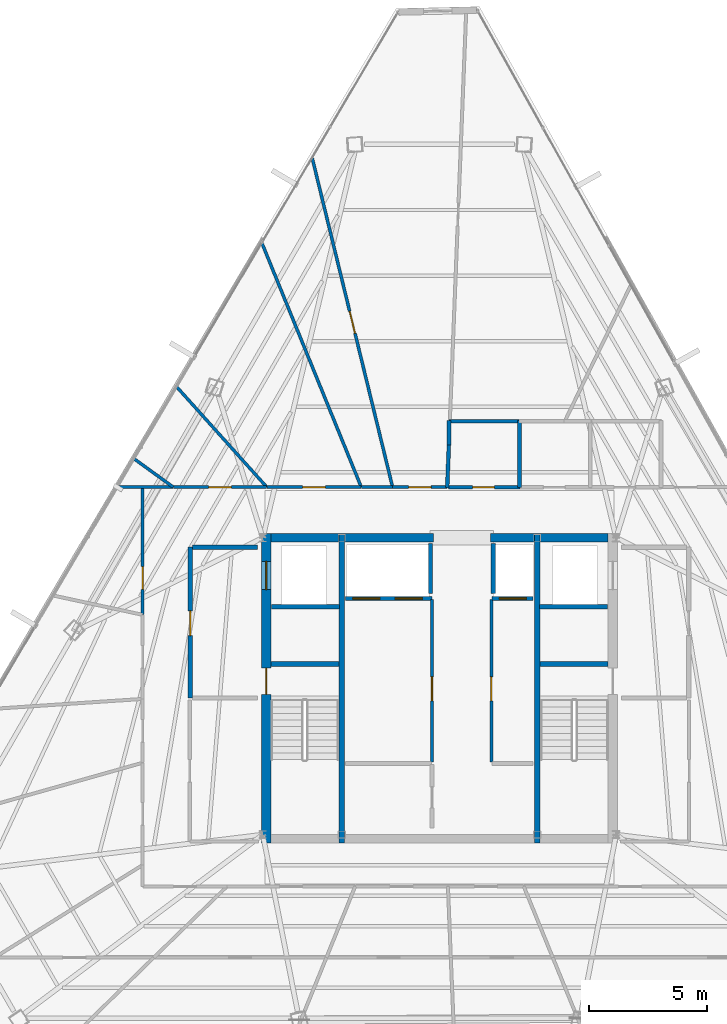
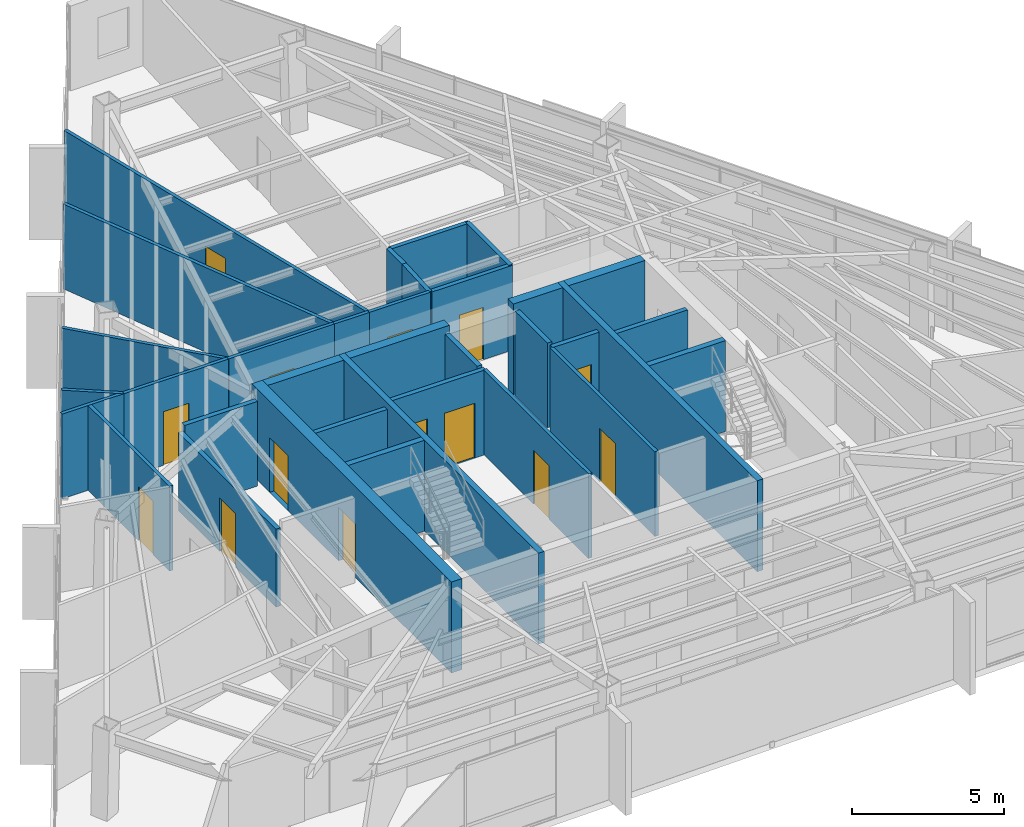
# One storey, part 41 of 45: 34 walls, 14 doors, 14 openings.
"""IFC4 building model written with IfcOpenShell, lengths in metres."""

from ifc_helpers import new_model, si_unit, direction, frame, frame_2d, origin, place, context, subcontext, project, spatial, rectangle, extrude, material, layer, layer_set, type_object, element, fill, save


model = new_model("IFC4")

# Units and contexts
model_context = context("Model", 3, precision=1e-05, world=origin(), true_north=direction((0.0, 1.0)))
body_context = subcontext(model_context, "Body", "Model", "MODEL_VIEW")
ifc_project = project(units=[si_unit("LENGTHUNIT", "METRE"), si_unit("AREAUNIT", "SQUARE_METRE"), si_unit("VOLUMEUNIT", "CUBIC_METRE"), si_unit("PLANEANGLEUNIT", "RADIAN"), si_unit("MASSUNIT", "GRAM", prefix="KILO")], contexts=[model_context])

# Site, building, storey
site_placement = place(None, origin())
site = spatial("IfcSite", under=ifc_project, at=site_placement, CompositionType="ELEMENT")
building_placement = place(site_placement, origin())
building = spatial("IfcBuilding", under=site, at=building_placement, Name="Caelisora Broadcast Tower", CompositionType="ELEMENT")
storey_placement = place(building_placement, frame((0.0, 0.0, 266.35009765625)))
storey = spatial("IfcBuildingStorey", under=building, at=storey_placement, Name="L70", CompositionType="ELEMENT", Elevation=266.35009765625)

# Wall, openings, doors
ifc_material_1 = material(Name="Concrete 40 MPa (AS 3600 N40)", Category="concrete")
ifc_layer_1 = layer(ifc_material_1, 0.39990234375, Name="Concrete 40 MPa (AS 3600 N40)")
ifc_layer_set_1 = layer_set([ifc_layer_1], Name="Concrete 40 MPa (AS 3600 N40)")
wall_type_1 = type_object("IfcWallType", Name="CW3", PredefinedType="SHEAR", material=ifc_layer_set_1)
wall_1_placement = place(storey_placement, frame((30.639892578125, 17.050048828125, 0.0), z_axis=(0.0, 0.0, 1.0), x_axis=(0.0, 1.0, 0.0)))
wall_1 = element("IfcWall", 1, at=wall_1_placement, inside=storey, type_object=wall_type_1, Name="L70 core shear wall CW3", PredefinedType="SHEAR", context=body_context, shape_type="SweptSolid", body=[
    extrude(rectangle(XDim=13.125, YDim=0.39990234375, at=frame_2d((6.5625, 0.0))), origin(), (0.0, 0.0, 1.0), 3.64990234375),
])
opening_1_placement = place(wall_1_placement, frame((6.300048828125, 0.0, 0.0)))
opening_1 = element("IfcOpeningElement", 2, at=opening_1_placement, cuts=wall_1, Name="Opening FD04", PredefinedType="OPENING", context=body_context, shape_type="SweptSolid", body=[
    extrude(rectangle(XDim=1.1201171875, YDim=2.14990234375, at=frame_2d((0.56005859375, 1.074951171875))), frame((0.0, 0.2119140625, 0.0), z_axis=(0.0, -1.0, 0.0), x_axis=(1.0, 0.0, 0.0)), (0.0, 0.0, 1.0), 0.423828125),
])
opening_2_placement = place(wall_1_placement, frame((10.75, 0.0, 0.0)))
opening_2 = element("IfcOpeningElement", 3, at=opening_2_placement, cuts=wall_1, Name="Opening LD04", PredefinedType="OPENING", context=body_context, shape_type="SweptSolid", body=[
    extrude(rectangle(XDim=1.199951171875, YDim=2.199951171875, at=frame_2d((0.60009765625, 1.10009765625))), frame((0.0, 0.2119140625, 0.0), z_axis=(0.0, -1.0, 0.0), x_axis=(1.0, 0.0, 0.0)), (0.0, 0.0, 1.0), 0.423828125),
])
ifc_material_2 = material(Name="Pressurised Fire-Isolated Stair Door", Category="steel")
door_type_1 = type_object("IfcDoorType", Name="FD04", OperationType="NOTDEFINED", PredefinedType="DOOR", material=ifc_material_2)
door_1_placement = place(opening_1_placement, origin())
door_1 = element("IfcDoor", 4, at=door_1_placement, inside=storey, type_object=door_type_1, Name="L70 door FD04 (L70-DR-ST1)", OperationType="SINGLE_SWING_LEFT", OverallHeight=2.14990234375, OverallWidth=1.1201171875, PredefinedType="DOOR", context=body_context, shape_type="SweptSolid", body=[
    extrude(rectangle(XDim=1.1201171875, YDim=2.14990234375, at=frame_2d((0.56005859375, 1.074951171875))), frame((0.0, 0.02490234375, 0.0), z_axis=(0.0, -1.0, 0.0), x_axis=(1.0, 0.0, 0.0)), (0.0, 0.0, 1.0), 0.050048828125),
])
fill(opening_1, door_1)
ifc_material_3 = material(Name="Emergency Firefighting Lift Sliding Landing Door", Category="steel")
door_type_2 = type_object("IfcDoorType", Name="LD04", OperationType="NOTDEFINED", PredefinedType="DOOR", material=ifc_material_3)
door_2_placement = place(opening_2_placement, origin())
door_2 = element("IfcDoor", 5, at=door_2_placement, inside=storey, type_object=door_type_2, Name="L70 door LD04 (L70-LD-FFL1)", OperationType="SLIDING_TO_LEFT", OverallHeight=2.199951171875, OverallWidth=1.199951171875, PredefinedType="DOOR", context=body_context, shape_type="SweptSolid", body=[
    extrude(rectangle(XDim=1.199951171875, YDim=2.199951171875, at=frame_2d((0.60009765625, 1.10009765625))), frame((0.0, 0.02490234375, 0.0), z_axis=(0.0, -1.0, 0.0), x_axis=(1.0, 0.0, 0.0)), (0.0, 0.0, 1.0), 0.050048828125),
])
fill(opening_2, door_2)

# Walls
ifc_layer_2 = layer(ifc_material_1, 0.35009765625, Name="Concrete 40 MPa (AS 3600 N40)")
ifc_layer_set_2 = layer_set([ifc_layer_2], Name="Concrete 40 MPa (AS 3600 N40)")
wall_type_2 = type_object("IfcWallType", Name="CW6", PredefinedType="SHEAR", material=ifc_layer_set_2)
wall_2_placement = place(storey_placement, frame((30.840087890625, 30.0, 0.0), z_axis=(0.0, 0.0, 1.0), x_axis=(1.0, 0.0, 0.0)))
element("IfcWall", 6, at=wall_2_placement, inside=storey, type_object=wall_type_2, Name="L70 core shear wall CW6", PredefinedType="SHEAR", context=body_context, shape_type="SweptSolid", body=[
    extrude(rectangle(XDim=2.89990234375, YDim=0.35009765625, at=frame_2d((1.449951171875, 0.0))), origin(), (0.0, 0.0, 1.0), 3.64990234375),
])
wall_3_placement = place(storey_placement, frame((33.9599609375, 30.0, 0.0), z_axis=(0.0, 0.0, 1.0), x_axis=(1.0, 0.0, 0.0)))
element("IfcWall", 7, at=wall_3_placement, inside=storey, type_object=wall_type_2, Name="L70 core shear wall CW6", PredefinedType="SHEAR", context=body_context, shape_type="SweptSolid", body=[
    extrude(rectangle(XDim=3.780029296875, YDim=0.35009765625, at=frame_2d((1.89013671875, 0.0))), origin(), (0.0, 0.0, 1.0), 3.64990234375),
])
wall_4_placement = place(storey_placement, frame((40.159912109375, 30.0, 0.0), z_axis=(0.0, 0.0, 1.0), x_axis=(1.0, 0.0, 0.0)))
element("IfcWall", 8, at=wall_4_placement, inside=storey, type_object=wall_type_2, Name="L70 core shear wall CW6", PredefinedType="SHEAR", context=body_context, shape_type="SweptSolid", body=[
    extrude(rectangle(XDim=1.880126953125, YDim=0.35009765625, at=frame_2d((0.93994140625, 0.0))), origin(), (0.0, 0.0, 1.0), 3.64990234375),
])
wall_5_placement = place(storey_placement, frame((42.260009765625, 30.0, 0.0), z_axis=(0.0, 0.0, 1.0), x_axis=(1.0, 0.0, 0.0)))
element("IfcWall", 9, at=wall_5_placement, inside=storey, type_object=wall_type_2, Name="L70 core shear wall CW6", PredefinedType="SHEAR", context=body_context, shape_type="SweptSolid", body=[
    extrude(rectangle(XDim=2.89990234375, YDim=0.35009765625, at=frame_2d((1.449951171875, 0.0))), origin(), (0.0, 0.0, 1.0), 3.64990234375),
])
ifc_material_4 = material(Name="Concrete 50 MPa (AS 3600 S50)", Category="concrete")
ifc_layer_3 = layer(ifc_material_4, 0.219970703125, Name="Concrete 50 MPa (AS 3600 S50)")
ifc_layer_set_3 = layer_set([ifc_layer_3], Name="Concrete 50 MPa (AS 3600 S50)")
wall_type_3 = type_object("IfcWallType", Name="CW7", PredefinedType="SHEAR", material=ifc_layer_set_3)
for number, where, z_axis, x_axis, name in (
    (10, (33.85009765625, 17.050048828125, 0.0), (0.0, 0.0, 1.0), (0.0, 1.0, 0.0), "L70 core shear wall CW7"),
    (11, (42.14990234375, 17.050048828125, 0.0), (0.0, 0.0, 1.0), (0.0, 1.0, 0.0), "L70 core shear wall CW7"),
):
    element("IfcWall", number, at=place(storey_placement, frame(where, z_axis=z_axis, x_axis=x_axis)), inside=storey, type_object=wall_type_3, Name=name, PredefinedType="SHEAR", context=body_context, shape_type="SweptSolid", body=[
        extrude(rectangle(XDim=13.125, YDim=0.219970703125, at=frame_2d((6.5625, 0.0))), origin(), (0.0, 0.0, 1.0), 3.64990234375),
    ])
for number, where, z_axis, x_axis, name in (
    (12, (30.840087890625, 24.639892578125, 0.0), (0.0, 0.0, 1.0), (1.0, 0.0, 0.0), "L70 core shear wall CW7"),
    (13, (42.260009765625, 24.639892578125, 0.0), (0.0, 0.0, 1.0), (1.0, 0.0, 0.0), "L70 core shear wall CW7"),
):
    element("IfcWall", number, at=place(storey_placement, frame(where, z_axis=z_axis, x_axis=x_axis)), inside=storey, type_object=wall_type_3, Name=name, PredefinedType="SHEAR", context=body_context, shape_type="SweptSolid", body=[
        extrude(rectangle(XDim=2.89990234375, YDim=0.219970703125, at=frame_2d((1.449951171875, 0.0))), origin(), (0.0, 0.0, 1.0), 3.64990234375),
    ])

# Wall, openings, doors
ifc_material_5 = material(Name="Fire-Rated Gypsum Shaft and Compartment Wall", Category="gypsum")
ifc_layer_4 = layer(ifc_material_5, 0.179931640625, Name="Fire-Rated Gypsum Shaft and Compartment Wall")
ifc_layer_set_4 = layer_set([ifc_layer_4], Name="Fire-Rated Gypsum Shaft and Compartment Wall")
wall_type_4 = type_object("IfcWallType", Name="PW2", PredefinedType="PARTITIONING", material=ifc_layer_set_4)
wall_6_placement = place(storey_placement, frame((34.02001953125, 27.419921875, 0.0), z_axis=(0.0, 0.0, 1.0), x_axis=(1.0, 0.0, 0.0)))
wall_6 = element("IfcWall", 14, at=wall_6_placement, inside=storey, type_object=wall_type_4, Name="L70 fire compartment wall PW2", PredefinedType="PARTITIONING", context=body_context, shape_type="SweptSolid", body=[
    extrude(rectangle(XDim=3.659912109375, YDim=0.179931640625, at=frame_2d((1.830078125, 0.0))), origin(), (0.0, 0.0, 1.0), 3.39990234375),
])
opening_3_placement = place(wall_6_placement, frame((0.300048828125, 0.0, 0.0)))
opening_3 = element("IfcOpeningElement", 15, at=opening_3_placement, cuts=wall_6, Name="Opening LD02", PredefinedType="OPENING", context=body_context, shape_type="SweptSolid", body=[
    extrude(rectangle(XDim=1.14990234375, YDim=2.199951171875, at=frame_2d((0.574951171875, 1.10009765625))), frame((0.0, 0.10205078125, 0.0), z_axis=(0.0, -1.0, 0.0), x_axis=(1.0, 0.0, 0.0)), (0.0, 0.0, 1.0), 0.203857421875),
])
opening_4_placement = place(wall_6_placement, frame((2.10009765625, 0.0, 0.0)))
opening_4 = element("IfcOpeningElement", 16, at=opening_4_placement, cuts=wall_6, Name="Opening LD02", PredefinedType="OPENING", context=body_context, shape_type="SweptSolid", body=[
    extrude(rectangle(XDim=1.14990234375, YDim=2.199951171875, at=frame_2d((0.574951171875, 1.10009765625))), frame((0.0, 0.10205078125, 0.0), z_axis=(0.0, -1.0, 0.0), x_axis=(1.0, 0.0, 0.0)), (0.0, 0.0, 1.0), 0.203857421875),
])
ifc_material_6 = material(Name="High-Speed Express Lift Sliding Landing Door", Category="steel")
door_type_3 = type_object("IfcDoorType", Name="LD02", OperationType="NOTDEFINED", PredefinedType="DOOR", material=ifc_material_6)
door_3_placement = place(opening_3_placement, origin())
door_3 = element("IfcDoor", 17, at=door_3_placement, inside=storey, type_object=door_type_3, Name="L70 door LD02 (L70-LD-PLH1)", OperationType="SLIDING_TO_RIGHT", OverallHeight=2.199951171875, OverallWidth=1.14990234375, PredefinedType="DOOR", context=body_context, shape_type="SweptSolid", body=[
    extrude(rectangle(XDim=1.14990234375, YDim=2.199951171875, at=frame_2d((0.574951171875, 1.10009765625))), frame((0.0, 0.02490234375, 0.0), z_axis=(0.0, -1.0, 0.0), x_axis=(1.0, 0.0, 0.0)), (0.0, 0.0, 1.0), 0.050048828125),
])
fill(opening_3, door_3)
door_4_placement = place(opening_4_placement, origin())
door_4 = element("IfcDoor", 18, at=door_4_placement, inside=storey, type_object=door_type_3, Name="L70 door LD02 (L70-LD-PLH2)", OperationType="SLIDING_TO_LEFT", OverallHeight=2.199951171875, OverallWidth=1.14990234375, PredefinedType="DOOR", context=body_context, shape_type="SweptSolid", body=[
    extrude(rectangle(XDim=1.14990234375, YDim=2.199951171875, at=frame_2d((0.574951171875, 1.10009765625))), frame((0.0, 0.02490234375, 0.0), z_axis=(0.0, -1.0, 0.0), x_axis=(1.0, 0.0, 0.0)), (0.0, 0.0, 1.0), 0.050048828125),
])
fill(opening_4, door_4)

# Wall, opening, door
wall_7_placement = place(storey_placement, frame((40.219970703125, 27.419921875, 0.0), z_axis=(0.0, 0.0, 1.0), x_axis=(1.0, 0.0, 0.0)))
wall_7 = element("IfcWall", 19, at=wall_7_placement, inside=storey, type_object=wall_type_4, Name="L70 fire compartment wall PW2", PredefinedType="PARTITIONING", context=body_context, shape_type="SweptSolid", body=[
    extrude(rectangle(XDim=1.760009765625, YDim=0.179931640625, at=frame_2d((0.8798828125, 0.0))), origin(), (0.0, 0.0, 1.0), 3.39990234375),
])
opening_5_placement = place(wall_7_placement, frame((0.320068359375, 0.0, 0.0)))
opening_5 = element("IfcOpeningElement", 20, at=opening_5_placement, cuts=wall_7, Name="Opening LD02", PredefinedType="OPENING", context=body_context, shape_type="SweptSolid", body=[
    extrude(rectangle(XDim=1.14990234375, YDim=2.199951171875, at=frame_2d((0.574951171875, 1.10009765625))), frame((0.0, 0.10205078125, 0.0), z_axis=(0.0, -1.0, 0.0), x_axis=(1.0, 0.0, 0.0)), (0.0, 0.0, 1.0), 0.203857421875),
])
door_5_placement = place(opening_5_placement, origin())
door_5 = element("IfcDoor", 21, at=door_5_placement, inside=storey, type_object=door_type_3, Name="L70 door LD02 (L70-LD-PLH3)", OperationType="SLIDING_TO_RIGHT", OverallHeight=2.199951171875, OverallWidth=1.14990234375, PredefinedType="DOOR", context=body_context, shape_type="SweptSolid", body=[
    extrude(rectangle(XDim=1.14990234375, YDim=2.199951171875, at=frame_2d((0.574951171875, 1.10009765625))), frame((0.0, 0.02490234375, 0.0), z_axis=(0.0, -1.0, 0.0), x_axis=(1.0, 0.0, 0.0)), (0.0, 0.0, 1.0), 0.050048828125),
])
fill(opening_5, door_5)

# Walls
for number, where, z_axis, x_axis, name in (
    (22, (37.6201171875, 27.639892578125, 0.0), (0.0, 0.0, 1.0), (0.0, 1.0, 0.0), "L70 fire compartment wall PW2"),
    (23, (40.280029296875, 27.639892578125, 0.0), (0.0, 0.0, 1.0), (0.0, 1.0, 0.0), "L70 fire compartment wall PW2"),
):
    element("IfcWall", number, at=place(storey_placement, frame(where, z_axis=z_axis, x_axis=x_axis)), inside=storey, type_object=wall_type_4, Name=name, PredefinedType="PARTITIONING", context=body_context, shape_type="SweptSolid", body=[
        extrude(rectangle(XDim=2.110107421875, YDim=0.179931640625, at=frame_2d((1.05517578125, 0.0))), origin(), (0.0, 0.0, 1.0), 3.39990234375),
    ])

# Wall, opening, door
wall_8_placement = place(storey_placement, frame((27.419921875, 23.199951171875, 0.0), z_axis=(0.0, 0.0, 1.0), x_axis=(0.0, 1.0, 0.0)))
wall_8 = element("IfcWall", 24, at=wall_8_placement, inside=storey, type_object=wall_type_4, Name="L70 fire compartment wall PW2", PredefinedType="PARTITIONING", context=body_context, shape_type="SweptSolid", body=[
    extrude(rectangle(XDim=6.400146484375, YDim=0.179931640625, at=frame_2d((3.2001953125, 0.0))), origin(), (0.0, 0.0, 1.0), 3.128662109375),
])
opening_6_placement = place(wall_8_placement, frame((2.64990234375, 0.0, 0.0)))
opening_6 = element("IfcOpeningElement", 25, at=opening_6_placement, cuts=wall_8, Name="Opening FD02", PredefinedType="OPENING", context=body_context, shape_type="SweptSolid", body=[
    extrude(rectangle(XDim=1.050048828125, YDim=2.14990234375, at=frame_2d((0.52490234375, 1.074951171875))), frame((0.0, 0.10205078125, 0.0), z_axis=(0.0, -1.0, 0.0), x_axis=(1.0, 0.0, 0.0)), (0.0, 0.0, 1.0), 0.203857421875),
])
ifc_material_7 = material(Name="Single-Leaf Steel Fire Lobby Door", Category="steel")
door_type_4 = type_object("IfcDoorType", Name="FD02", OperationType="NOTDEFINED", PredefinedType="DOOR", material=ifc_material_7)
door_6_placement = place(opening_6_placement, origin())
door_6 = element("IfcDoor", 26, at=door_6_placement, inside=storey, type_object=door_type_4, Name="L70 door FD02 (L70-DR-P01D1)", OperationType="SINGLE_SWING_LEFT", OverallHeight=2.14990234375, OverallWidth=1.050048828125, PredefinedType="DOOR", context=body_context, shape_type="SweptSolid", body=[
    extrude(rectangle(XDim=1.050048828125, YDim=2.14990234375, at=frame_2d((0.52490234375, 1.074951171875))), frame((0.0, 0.02490234375, 0.0), z_axis=(0.0, -1.0, 0.0), x_axis=(1.0, 0.0, 0.0)), (0.0, 0.0, 1.0), 0.050048828125),
])
fill(opening_6, door_6)

# Walls
wall_9_placement = place(storey_placement, frame((27.52001953125, 29.60009765625, 0.0), z_axis=(0.0, 0.0, 1.0), x_axis=(1.0, 0.0, 0.0)))
element("IfcWall", 27, at=wall_9_placement, inside=storey, type_object=wall_type_4, Name="L70 fire compartment wall PW2", PredefinedType="PARTITIONING", context=body_context, shape_type="SweptSolid", body=[
    extrude(rectangle(XDim=2.760009765625, YDim=0.179931640625, at=frame_2d((1.3798828125, 0.0))), origin(), (0.0, 0.0, 1.0), 3.39990234375),
])
for number, where, z_axis, x_axis, name in (
    (28, (30.860107421875, 27.070068359375, 0.0), (0.0, 0.0, 1.0), (1.0, 0.0, 0.0), "L70 fire compartment wall PW2"),
    (29, (42.239990234375, 27.070068359375, 0.0), (0.0, 0.0, 1.0), (1.0, 0.0, 0.0), "L70 fire compartment wall PW2"),
):
    element("IfcWall", number, at=place(storey_placement, frame(where, z_axis=z_axis, x_axis=x_axis)), inside=storey, type_object=wall_type_4, Name=name, PredefinedType="PARTITIONING", context=body_context, shape_type="SweptSolid", body=[
        extrude(rectangle(XDim=2.89990234375, YDim=0.179931640625, at=frame_2d((1.449951171875, 0.0))), origin(), (0.0, 0.0, 1.0), 3.39990234375),
    ])

# Wall, opening, door
ifc_material_8 = material(Name="Acoustic Steel-Stud Plasterboard Partition", Category="gypsum")
ifc_layer_5 = layer(ifc_material_8, 0.1298828125, Name="Acoustic Steel-Stud Plasterboard Partition")
ifc_layer_set_5 = layer_set([ifc_layer_5], Name="Acoustic Steel-Stud Plasterboard Partition")
wall_type_5 = type_object("IfcWallType", Name="PW3", PredefinedType="PARTITIONING", material=ifc_layer_set_5)
wall_10_placement = place(storey_placement, frame((37.679931640625, 20.47998046875, 0.0), z_axis=(0.0, 0.0, 1.0), x_axis=(0.0, 1.0, 0.0)))
wall_10 = element("IfcWall", 30, at=wall_10_placement, inside=storey, type_object=wall_type_5, Name="L70 internal partition PW3", PredefinedType="PARTITIONING", context=body_context, shape_type="SweptSolid", body=[
    extrude(rectangle(XDim=6.89990234375, YDim=0.1298828125, at=frame_2d((3.449951171875, 0.0))), origin(), (0.0, 0.0, 1.0), 3.39990234375),
])
opening_7_placement = place(wall_10_placement, frame((2.60009765625, 0.0, 0.0)))
opening_7 = element("IfcOpeningElement", 31, at=opening_7_placement, cuts=wall_10, Name="Opening D02", PredefinedType="OPENING", context=body_context, shape_type="SweptSolid", body=[
    extrude(rectangle(XDim=1.02001953125, YDim=2.14990234375, at=frame_2d((0.510009765625, 1.074951171875))), frame((0.0, 0.076904296875, 0.0), z_axis=(0.0, -1.0, 0.0), x_axis=(1.0, 0.0, 0.0)), (0.0, 0.0, 1.0), 0.15380859375),
])
ifc_material_9 = material(Name="Solid-Core Timber Archive Suite Door", Category="wood")
door_type_5 = type_object("IfcDoorType", Name="D02", OperationType="NOTDEFINED", PredefinedType="DOOR", material=ifc_material_9)
door_7_placement = place(opening_7_placement, origin())
door_7 = element("IfcDoor", 32, at=door_7_placement, inside=storey, type_object=door_type_5, Name="L70 door D02 (L70-DR-P11D1)", OperationType="SINGLE_SWING_LEFT", OverallHeight=2.14990234375, OverallWidth=1.02001953125, PredefinedType="DOOR", context=body_context, shape_type="SweptSolid", body=[
    extrude(rectangle(XDim=1.02001953125, YDim=2.14990234375, at=frame_2d((0.510009765625, 1.074951171875))), frame((0.0, 0.02490234375, 0.0), z_axis=(0.0, -1.0, 0.0), x_axis=(1.0, 0.0, 0.0)), (0.0, 0.0, 1.0), 0.050048828125),
])
fill(opening_7, door_7)

wall_11_placement = place(storey_placement, frame((40.199951171875, 20.47998046875, 0.0), z_axis=(0.0, 0.0, 1.0), x_axis=(0.0, 1.0, 0.0)))
wall_11 = element("IfcWall", 33, at=wall_11_placement, inside=storey, type_object=wall_type_5, Name="L70 internal partition PW3", PredefinedType="PARTITIONING", context=body_context, shape_type="SweptSolid", body=[
    extrude(rectangle(XDim=6.89990234375, YDim=0.1298828125, at=frame_2d((3.449951171875, 0.0))), origin(), (0.0, 0.0, 1.0), 3.39990234375),
])
opening_8_placement = place(wall_11_placement, frame((2.60009765625, 0.0, 0.0)))
opening_8 = element("IfcOpeningElement", 34, at=opening_8_placement, cuts=wall_11, Name="Opening D02", PredefinedType="OPENING", context=body_context, shape_type="SweptSolid", body=[
    extrude(rectangle(XDim=1.02001953125, YDim=2.14990234375, at=frame_2d((0.510009765625, 1.074951171875))), frame((0.0, 0.076904296875, 0.0), z_axis=(0.0, -1.0, 0.0), x_axis=(1.0, 0.0, 0.0)), (0.0, 0.0, 1.0), 0.15380859375),
])
door_8_placement = place(opening_8_placement, origin())
door_8 = element("IfcDoor", 35, at=door_8_placement, inside=storey, type_object=door_type_5, Name="L70 door D02 (L70-DR-P12D1)", OperationType="SINGLE_SWING_RIGHT", OverallHeight=2.14990234375, OverallWidth=1.02001953125, PredefinedType="DOOR", context=body_context, shape_type="SweptSolid", body=[
    extrude(rectangle(XDim=1.02001953125, YDim=2.14990234375, at=frame_2d((0.510009765625, 1.074951171875))), frame((0.0, 0.02490234375, 0.0), z_axis=(0.0, -1.0, 0.0), x_axis=(1.0, 0.0, 0.0)), (0.0, 0.0, 1.0), 0.050048828125),
])
fill(opening_8, door_8)

wall_12_placement = place(storey_placement, frame((32.593017578125, 46.144287109375, 0.0), z_axis=(0.0, 0.0, 1.0), x_axis=(0.237218447146, -0.971456333725, 0.0)))
wall_12 = element("IfcWall", 36, at=wall_12_placement, inside=storey, type_object=wall_type_5, Name="L70 internal partition PW3", PredefinedType="PARTITIONING", context=body_context, shape_type="SweptSolid", body=[
    extrude(rectangle(XDim=14.400390625, YDim=0.1298828125, at=frame_2d((7.2001953125, 0.0))), origin(), (0.0, 0.0, 1.0), 3.39990234375),
])
opening_9_placement = place(wall_12_placement, frame((6.72021484375, 0.0, 0.0)))
opening_9 = element("IfcOpeningElement", 37, at=opening_9_placement, cuts=wall_12, Name="Opening D01", PredefinedType="OPENING", context=body_context, shape_type="SweptSolid", body=[
    extrude(rectangle(XDim=0.9599609375, YDim=2.14990234375, at=frame_2d((0.47998046875, 1.074951171875))), frame((0.0, 0.076904296875, 0.0), z_axis=(0.0, -1.0, 0.0), x_axis=(1.0, 0.0, 0.0)), (0.0, 0.0, 1.0), 0.15380859375),
])
ifc_material_10 = material(Name="Solid-Core Timber Acoustic Office Door", Category="wood")
door_type_6 = type_object("IfcDoorType", Name="D01", OperationType="NOTDEFINED", PredefinedType="DOOR", material=ifc_material_10)
door_9_placement = place(opening_9_placement, origin())
door_9 = element("IfcDoor", 38, at=door_9_placement, inside=storey, type_object=door_type_6, Name="L70 door D01 (L70-DR-RSC01)", OperationType="SINGLE_SWING_RIGHT", OverallHeight=2.14990234375, OverallWidth=0.9599609375, PredefinedType="DOOR", context=body_context, shape_type="SweptSolid", body=[
    extrude(rectangle(XDim=0.9599609375, YDim=2.14990234375, at=frame_2d((0.47998046875, 1.074951171875))), frame((0.0, 0.02490234375, 0.0), z_axis=(0.0, -1.0, 0.0), x_axis=(1.0, 0.0, 0.0)), (0.0, 0.0, 1.0), 0.050048828125),
])
fill(opening_9, door_9)

# Walls
wall_13_placement = place(storey_placement, frame((30.456298828125, 42.5263671875, 0.0), z_axis=(0.0, 0.0, 1.0), x_axis=(0.377014997376, -0.926207153802, 0.0)))
element("IfcWall", 39, at=wall_13_placement, inside=storey, type_object=wall_type_5, Name="L70 internal partition PW3", PredefinedType="PARTITIONING", context=body_context, shape_type="SweptSolid", body=[
    extrude(rectangle(XDim=11.19775390625, YDim=0.1298828125, at=frame_2d((5.598876953125, 0.0))), origin(), (0.0, 0.0, 1.0), 3.39990234375),
])
wall_14_placement = place(storey_placement, frame((26.843505859375, 36.4091796875, 0.0), z_axis=(0.0, 0.0, 1.0), x_axis=(0.668372693143, -0.743826554421, 0.0)))
element("IfcWall", 40, at=wall_14_placement, inside=storey, type_object=wall_type_5, Name="L70 internal partition PW3", PredefinedType="PARTITIONING", context=body_context, shape_type="SweptSolid", body=[
    extrude(rectangle(XDim=5.720703125, YDim=0.1298828125, at=frame_2d((2.8603515625, 0.0))), origin(), (0.0, 0.0, 1.0), 3.39990234375),
])

# Wall, opening, door
wall_15_placement = place(storey_placement, frame((25.39990234375, 26.735107421875, 0.0), z_axis=(0.0, 0.0, 1.0), x_axis=(0.0, 1.0, 0.0)))
wall_15 = element("IfcWall", 41, at=wall_15_placement, inside=storey, type_object=wall_type_5, Name="L70 internal partition PW3", PredefinedType="PARTITIONING", context=body_context, shape_type="SweptSolid", body=[
    extrude(rectangle(XDim=5.409912109375, YDim=0.1298828125, at=frame_2d((2.705078125, 0.0))), origin(), (0.0, 0.0, 1.0), 3.39990234375),
])
opening_10_placement = place(wall_15_placement, frame((1.080078125, 0.0, 0.0)))
opening_10 = element("IfcOpeningElement", 42, at=opening_10_placement, cuts=wall_15, Name="Opening D01", PredefinedType="OPENING", context=body_context, shape_type="SweptSolid", body=[
    extrude(rectangle(XDim=0.9599609375, YDim=2.14990234375, at=frame_2d((0.47998046875, 1.074951171875))), frame((0.0, 0.076904296875, 0.0), z_axis=(0.0, -1.0, 0.0), x_axis=(1.0, 0.0, 0.0)), (0.0, 0.0, 1.0), 0.15380859375),
])
door_10_placement = place(opening_10_placement, origin())
door_10 = element("IfcDoor", 43, at=door_10_placement, inside=storey, type_object=door_type_6, Name="L70 door D01 (L70-DR-P48D1)", OperationType="SINGLE_SWING_RIGHT", OverallHeight=2.14990234375, OverallWidth=0.9599609375, PredefinedType="DOOR", context=body_context, shape_type="SweptSolid", body=[
    extrude(rectangle(XDim=0.9599609375, YDim=2.14990234375, at=frame_2d((0.47998046875, 1.074951171875))), frame((0.0, 0.02490234375, 0.0), z_axis=(0.0, -1.0, 0.0), x_axis=(1.0, 0.0, 0.0)), (0.0, 0.0, 1.0), 0.050048828125),
])
fill(opening_10, door_10)

wall_16_placement = place(storey_placement, frame((30.675048828125, 32.14990234375, 0.0), z_axis=(0.0, 0.0, 1.0), x_axis=(1.0, 0.0, 0.0)))
wall_16 = element("IfcWall", 44, at=wall_16_placement, inside=storey, type_object=wall_type_5, Name="L70 internal partition PW3", PredefinedType="PARTITIONING", context=body_context, shape_type="SweptSolid", body=[
    extrude(rectangle(XDim=4.0, YDim=0.1298828125, at=frame_2d((2.0, 0.0))), origin(), (0.0, 0.0, 1.0), 3.39990234375),
])
opening_11_placement = place(wall_16_placement, frame((1.52001953125, 0.0, 0.0)))
opening_11 = element("IfcOpeningElement", 45, at=opening_11_placement, cuts=wall_16, Name="Opening D01", PredefinedType="OPENING", context=body_context, shape_type="SweptSolid", body=[
    extrude(rectangle(XDim=0.9599609375, YDim=2.14990234375, at=frame_2d((0.47998046875, 1.074951171875))), frame((0.0, 0.076904296875, 0.0), z_axis=(0.0, -1.0, 0.0), x_axis=(1.0, 0.0, 0.0)), (0.0, 0.0, 1.0), 0.15380859375),
])
door_11_placement = place(opening_11_placement, origin())
door_11 = element("IfcDoor", 46, at=door_11_placement, inside=storey, type_object=door_type_6, Name="L70 door D01 (L70-DR-P56D1)", OperationType="SINGLE_SWING_LEFT", OverallHeight=2.14990234375, OverallWidth=0.9599609375, PredefinedType="DOOR", context=body_context, shape_type="SweptSolid", body=[
    extrude(rectangle(XDim=0.9599609375, YDim=2.14990234375, at=frame_2d((0.47998046875, 1.074951171875))), frame((0.0, 0.02490234375, 0.0), z_axis=(0.0, -1.0, 0.0), x_axis=(1.0, 0.0, 0.0)), (0.0, 0.0, 1.0), 0.050048828125),
])
fill(opening_11, door_11)

wall_17_placement = place(storey_placement, frame((26.705078125, 32.14990234375, 0.0), z_axis=(0.0, 0.0, 1.0), x_axis=(1.0, 0.0, 0.0)))
wall_17 = element("IfcWall", 47, at=wall_17_placement, inside=storey, type_object=wall_type_5, Name="L70 internal partition PW3", PredefinedType="PARTITIONING", context=body_context, shape_type="SweptSolid", body=[
    extrude(rectangle(XDim=3.9599609375, YDim=0.1298828125, at=frame_2d((1.97998046875, 0.0))), origin(), (0.0, 0.0, 1.0), 3.39990234375),
])
opening_12_placement = place(wall_17_placement, frame((1.5, 0.0, 0.0)))
opening_12 = element("IfcOpeningElement", 48, at=opening_12_placement, cuts=wall_17, Name="Opening D01", PredefinedType="OPENING", context=body_context, shape_type="SweptSolid", body=[
    extrude(rectangle(XDim=0.9599609375, YDim=2.14990234375, at=frame_2d((0.47998046875, 1.074951171875))), frame((0.0, 0.076904296875, 0.0), z_axis=(0.0, -1.0, 0.0), x_axis=(1.0, 0.0, 0.0)), (0.0, 0.0, 1.0), 0.15380859375),
])
door_12_placement = place(opening_12_placement, origin())
door_12 = element("IfcDoor", 49, at=door_12_placement, inside=storey, type_object=door_type_6, Name="L70 door D01 (L70-DR-P58D1)", OperationType="SINGLE_SWING_RIGHT", OverallHeight=2.14990234375, OverallWidth=0.9599609375, PredefinedType="DOOR", context=body_context, shape_type="SweptSolid", body=[
    extrude(rectangle(XDim=0.9599609375, YDim=2.14990234375, at=frame_2d((0.47998046875, 1.074951171875))), frame((0.0, 0.02490234375, 0.0), z_axis=(0.0, -1.0, 0.0), x_axis=(1.0, 0.0, 0.0)), (0.0, 0.0, 1.0), 0.050048828125),
])
fill(opening_12, door_12)

wall_18_placement = place(storey_placement, frame((36.014892578125, 32.14990234375, 0.0), z_axis=(0.0, 0.0, 1.0), x_axis=(1.0, 0.0, 0.0)))
wall_18 = element("IfcWall", 50, at=wall_18_placement, inside=storey, type_object=wall_type_5, Name="L70 internal partition PW3", PredefinedType="PARTITIONING", context=body_context, shape_type="SweptSolid", body=[
    extrude(rectangle(XDim=2.31005859375, YDim=0.1298828125, at=frame_2d((1.155029296875, 0.0))), origin(), (0.0, 0.0, 1.0), 3.39990234375),
])
opening_13_placement = place(wall_18_placement, frame((0.675048828125, 0.0, 0.0)))
opening_13 = element("IfcOpeningElement", 51, at=opening_13_placement, cuts=wall_18, Name="Opening D01", PredefinedType="OPENING", context=body_context, shape_type="SweptSolid", body=[
    extrude(rectangle(XDim=0.9599609375, YDim=2.14990234375, at=frame_2d((0.47998046875, 1.074951171875))), frame((0.0, 0.076904296875, 0.0), z_axis=(0.0, -1.0, 0.0), x_axis=(1.0, 0.0, 0.0)), (0.0, 0.0, 1.0), 0.15380859375),
])
door_13_placement = place(opening_13_placement, origin())
door_13 = element("IfcDoor", 52, at=door_13_placement, inside=storey, type_object=door_type_6, Name="L70 door D01 (L70-DR-P72D1)", OperationType="SINGLE_SWING_LEFT", OverallHeight=2.14990234375, OverallWidth=0.9599609375, PredefinedType="DOOR", context=body_context, shape_type="SweptSolid", body=[
    extrude(rectangle(XDim=0.9599609375, YDim=2.14990234375, at=frame_2d((0.47998046875, 1.074951171875))), frame((0.0, 0.02490234375, 0.0), z_axis=(0.0, -1.0, 0.0), x_axis=(1.0, 0.0, 0.0)), (0.0, 0.0, 1.0), 0.050048828125),
])
fill(opening_13, door_13)

# Walls
wall_19_placement = place(storey_placement, frame((25.03857421875, 33.35302734375, 0.0), z_axis=(0.0, 0.0, 1.0), x_axis=(0.810008566192, -0.586418044312, 0.0)))
element("IfcWall", 53, at=wall_19_placement, inside=storey, type_object=wall_type_5, Name="L70 internal partition PW3", PredefinedType="PARTITIONING", context=body_context, shape_type="SweptSolid", body=[
    extrude(rectangle(XDim=2.046142578125, YDim=0.1298828125, at=frame_2d((1.02294921875, 0.0))), origin(), (0.0, 0.0, 1.0), 3.39990234375),
])
wall_20_placement = place(storey_placement, frame((34.68505859375, 32.14990234375, 0.0), z_axis=(0.0, 0.0, 1.0), x_axis=(1.0, 0.0, 0.0)))
element("IfcWall", 54, at=wall_20_placement, inside=storey, type_object=wall_type_5, Name="L70 internal partition PW3", PredefinedType="PARTITIONING", context=body_context, shape_type="SweptSolid", body=[
    extrude(rectangle(XDim=1.31982421875, YDim=0.1298828125, at=frame_2d((0.659912109375, 0.0))), origin(), (0.0, 0.0, 1.0), 3.39990234375),
])
wall_21_placement = place(storey_placement, frame((24.35400390625, 32.14990234375, 0.0), z_axis=(0.0, 0.0, 1.0), x_axis=(1.0, 0.0, 0.0)))
element("IfcWall", 55, at=wall_21_placement, inside=storey, type_object=wall_type_5, Name="L70 internal partition PW3", PredefinedType="PARTITIONING", context=body_context, shape_type="SweptSolid", body=[
    extrude(rectangle(XDim=2.341064453125, YDim=0.1298828125, at=frame_2d((1.17041015625, 0.0))), origin(), (0.0, 0.0, 1.0), 3.39990234375),
])

# Wall, opening, door
ifc_material_11 = material(Name="Moisture-Resistant Wet Plumbing Service Wall", Category="gypsum")
ifc_layer_6 = layer(ifc_material_11, 0.159912109375, Name="Moisture-Resistant Wet Plumbing Service Wall")
ifc_layer_set_6 = layer_set([ifc_layer_6], Name="Moisture-Resistant Wet Plumbing Service Wall")
wall_type_6 = type_object("IfcWallType", Name="PW4", PredefinedType="PLUMBINGWALL", material=ifc_layer_set_6)
wall_22_placement = place(storey_placement, frame((38.375, 32.14990234375, 0.0), z_axis=(0.0, 0.0, 1.0), x_axis=(1.0, 0.0, 0.0)))
wall_22 = element("IfcWall", 56, at=wall_22_placement, inside=storey, type_object=wall_type_6, Name="L70 wet plumbing wall PW4", PredefinedType="PLUMBINGWALL", context=body_context, shape_type="SweptSolid", body=[
    extrude(rectangle(XDim=3.050048828125, YDim=0.159912109375, at=frame_2d((1.52490234375, 0.0))), origin(), (0.0, 0.0, 1.0), 3.39990234375),
])
opening_14_placement = place(wall_22_placement, frame((1.034912109375, 0.0, 0.0)))
opening_14 = element("IfcOpeningElement", 57, at=opening_14_placement, cuts=wall_22, Name="Opening D03", PredefinedType="OPENING", context=body_context, shape_type="SweptSolid", body=[
    extrude(rectangle(XDim=0.919921875, YDim=2.10009765625, at=frame_2d((0.4599609375, 1.050048828125))), frame((0.0, 0.092041015625, 0.0), z_axis=(0.0, -1.0, 0.0), x_axis=(1.0, 0.0, 0.0)), (0.0, 0.0, 1.0), 0.183837890625),
])
ifc_material_12 = material(Name="Laminate Moisture-Resistant Amenity WC Door", Category="wood")
door_type_7 = type_object("IfcDoorType", Name="D03", OperationType="NOTDEFINED", PredefinedType="DOOR", material=ifc_material_12)
door_14_placement = place(opening_14_placement, origin())
door_14 = element("IfcDoor", 58, at=door_14_placement, inside=storey, type_object=door_type_7, Name="L70 door D03 (L70-DR-P14D1)", OperationType="SINGLE_SWING_RIGHT", OverallHeight=2.10009765625, OverallWidth=0.919921875, PredefinedType="DOOR", context=body_context, shape_type="SweptSolid", body=[
    extrude(rectangle(XDim=0.919921875, YDim=2.10009765625, at=frame_2d((0.4599609375, 1.050048828125))), frame((0.0, 0.02490234375, 0.0), z_axis=(0.0, -1.0, 0.0), x_axis=(1.0, 0.0, 0.0)), (0.0, 0.0, 1.0), 0.050048828125),
])
fill(opening_14, door_14)

# Walls
wall_23_placement = place(storey_placement, frame((38.4150390625, 34.949951171875, 0.0), z_axis=(0.0, 0.0, 1.0), x_axis=(1.0, 0.0, 0.0)))
element("IfcWall", 59, at=wall_23_placement, inside=storey, type_object=wall_type_6, Name="L70 wet plumbing wall PW4", PredefinedType="PLUMBINGWALL", context=body_context, shape_type="SweptSolid", body=[
    extrude(rectangle(XDim=3.010009765625, YDim=0.159912109375, at=frame_2d((1.5048828125, 0.0))), origin(), (0.0, 0.0, 1.0), 3.39990234375),
])
wall_24_placement = place(storey_placement, frame((41.39990234375, 32.125, 0.0), z_axis=(0.0, 0.0, 1.0), x_axis=(0.0, 1.0, 0.0)))
element("IfcWall", 60, at=wall_24_placement, inside=storey, type_object=wall_type_6, Name="L70 wet plumbing wall PW4", PredefinedType="PLUMBINGWALL", context=body_context, shape_type="SweptSolid", body=[
    extrude(rectangle(XDim=2.85009765625, YDim=0.159912109375, at=frame_2d((1.425048828125, 0.0))), origin(), (0.0, 0.0, 1.0), 3.39990234375),
])
wall_25_placement = place(storey_placement, frame((38.328857421875, 32.125, 0.0), z_axis=(0.0, 0.0, 1.0), x_axis=(0.038820956822, 0.999246182535, 0.0)))
element("IfcWall", 61, at=wall_25_placement, inside=storey, type_object=wall_type_6, Name="L70 wet plumbing wall PW4", PredefinedType="PLUMBINGWALL", context=body_context, shape_type="SweptSolid", body=[
    extrude(rectangle(XDim=1.861572265625, YDim=0.159912109375, at=frame_2d((0.9306640625, 0.0))), origin(), (0.0, 0.0, 1.0), 3.39990234375),
])
wall_26_placement = place(storey_placement, frame((38.39990234375, 33.93505859375, 0.0), z_axis=(0.0, 0.0, 1.0), x_axis=(0.0, 1.0, 0.0)))
element("IfcWall", 62, at=wall_26_placement, inside=storey, type_object=wall_type_6, Name="L70 wet plumbing wall PW4", PredefinedType="PLUMBINGWALL", context=body_context, shape_type="SweptSolid", body=[
    extrude(rectangle(XDim=1.0400390625, YDim=0.159912109375, at=frame_2d((0.52001953125, 0.0))), origin(), (0.0, 0.0, 1.0), 3.39990234375),
])

save(model, "model.ifc")
